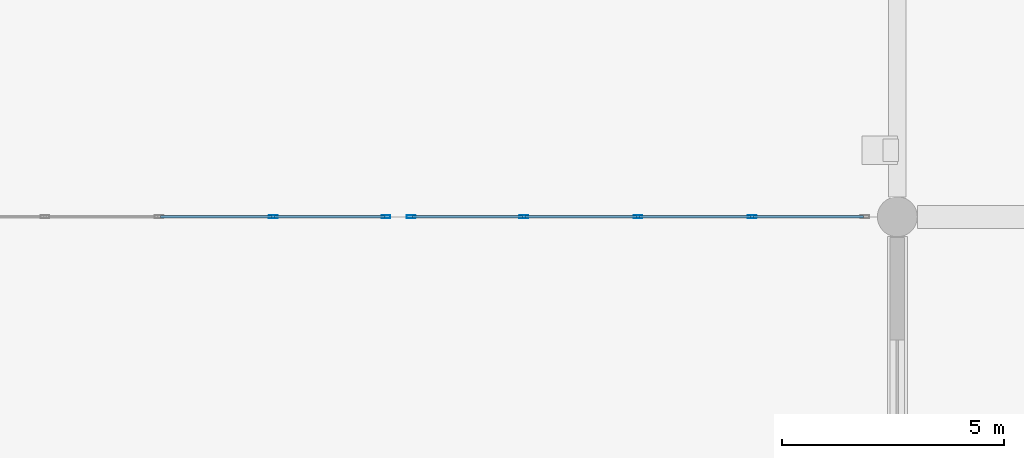
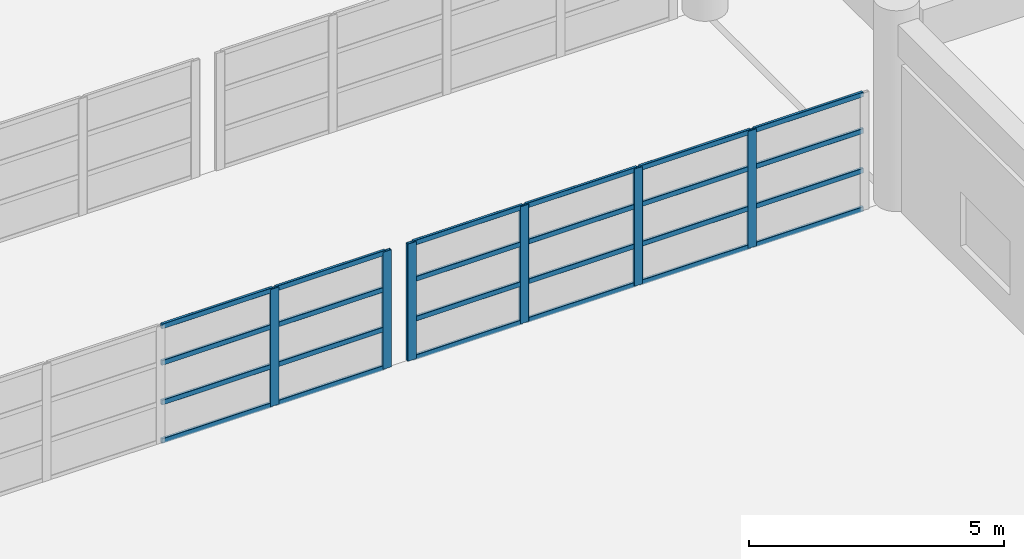
# One storey, part 26 of 122: 30 members, 2 elements without a shape of their own.
"""IFC4 building model written with IfcOpenShell, lengths in metres."""

import ifcopenshell
import ifcopenshell.guid

model = None  # the IFC model being written
_history = None  # IfcOwnerHistory: only IFC2X3 demands one
_inside = {}  # id of a spatial element -> (the spatial element, [elements in it])
_under = {}  # id of a project, library or spatial element -> (it, [spatial elements below it])
_declared = {}  # id of a project -> (the project, [libraries it declares])
_typed = {}  # id of a type object -> (the type object, [elements of that type])
_made_of = {}  # id of a material, layer set ... -> (it, [elements and type objects made of it])


def new_model(schema):
    """Start an empty IFC model of exactly this schema.

    Asked for "IFC4X3", IfcOpenShell would pick the latest addendum, in which some entities
    have other attributes; the version numbers below select the first issue.
    IFC2X3 requires an IfcOwnerHistory on every rooted entity: one is made here for all.
    """
    global model, _history
    if schema == "IFC4X3":
        model = ifcopenshell.file(schema_version=(4, 3, 0, 0))
    else:
        model = ifcopenshell.file(schema=schema)
    _inside.clear()
    _under.clear()
    _declared.clear()
    _typed.clear()
    _made_of.clear()
    _history = None
    if model.schema == "IFC2X3":
        org = make("IfcOrganization", Name="unknown")
        user = make(
            "IfcPersonAndOrganization",
            ThePerson=make("IfcPerson", FamilyName="unknown"),
            TheOrganization=org,
        )
        app = make(
            "IfcApplication",
            ApplicationDeveloper=org,
            Version="unknown",
            ApplicationFullName="unknown",
            ApplicationIdentifier="unknown",
        )
        _history = make(
            "IfcOwnerHistory",
            OwningUser=user,
            OwningApplication=app,
            ChangeAction="ADDED",
            CreationDate=0,
        )
    return model


def make(cls, **values):
    """One entity of the class cls with the attributes given. An attribute that is None is left unset."""
    return model.create_entity(
        cls, **{name: value for name, value in values.items() if value is not None}
    )


def rooted(cls, **values):
    """An entity with a GlobalId (a new one), such as an element, a storey or a relation."""
    return make(cls, GlobalId=ifcopenshell.guid.new(), OwnerHistory=_history, **values)


def si_unit(unit_type, name, prefix=None):
    """IfcSIUnit, for example si_unit("LENGTHUNIT", "METRE", prefix="MILLI")."""
    return make("IfcSIUnit", UnitType=unit_type, Prefix=prefix, Name=name)


def assignment(units):
    """IfcUnitAssignment: the units of a project."""
    return None if units is None else make("IfcUnitAssignment", Units=units)


def point(xyz):
    """IfcCartesianPoint."""
    return None if xyz is None else make("IfcCartesianPoint", Coordinates=xyz)


def direction(xyz):
    """IfcDirection."""
    return None if xyz is None else make("IfcDirection", DirectionRatios=xyz)


def frame(location, z_axis=None, x_axis=None):
    """IfcAxis2Placement3D, a coordinate frame: its origin and axes. An axis left out is left unset."""
    return make(
        "IfcAxis2Placement3D",
        Location=point(location),
        Axis=direction(z_axis),
        RefDirection=direction(x_axis),
    )


def frame_2d(location, x_axis=None):
    """IfcAxis2Placement2D, a coordinate frame in the plane: its origin and x axis."""
    return make(
        "IfcAxis2Placement2D", Location=point(location), RefDirection=direction(x_axis)
    )


def origin():
    """The frame at (0, 0, 0) with its axes left unset."""
    return frame((0.0, 0.0, 0.0))


def origin_2d():
    """The frame at (0, 0) in the plane with its x axis left unset."""
    return frame_2d((0.0, 0.0))


def place(relative_to, where):
    """IfcLocalPlacement: puts the frame where relative to a parent placement (None: the world)."""
    return make(
        "IfcLocalPlacement", PlacementRelTo=relative_to, RelativePlacement=where
    )


def context(
    kind, dimensions, precision=None, world=None, true_north=None, identifier=None
):
    """IfcGeometricRepresentationContext, for example the 3D "Model" context."""
    return make(
        "IfcGeometricRepresentationContext",
        ContextIdentifier=identifier,
        ContextType=kind,
        CoordinateSpaceDimension=dimensions,
        Precision=precision,
        WorldCoordinateSystem=world,
        TrueNorth=true_north,
    )


def subcontext(parent, identifier, kind, view, scale=None):
    """IfcGeometricRepresentationSubContext, for example "Body" below "Model"."""
    return make(
        "IfcGeometricRepresentationSubContext",
        ContextIdentifier=identifier,
        ContextType=kind,
        ParentContext=parent,
        TargetScale=scale,
        TargetView=view,
    )


def project(units=None, contexts=None):
    """IfcProject with its units and contexts."""
    return rooted(
        "IfcProject",
        Name="project",
        RepresentationContexts=contexts,
        UnitsInContext=assignment(units),
    )


def spatial(cls, under=None, at=None, **own):
    """A site, building, storey or space (cls), placed at a placement, below another one or the project."""
    s = rooted(cls, ObjectPlacement=at, **own)
    if under is not None:
        _under.setdefault(under.id(), (under, []))[1].append(s)
    return s


def profile(cls, at=None, kind="AREA", **sizes):
    """A parametric profile (cls). Its sizes go by their IFC names, for example OverallWidth=200.0."""
    return make(cls, ProfileType=kind, Position=at, **sizes)


def hollow_rectangle(**sizes):
    """IfcRectangleHollowProfileDef."""
    return profile("IfcRectangleHollowProfileDef", **sizes)


def extrude(swept, where, along, depth):
    """IfcExtrudedAreaSolid: the profile swept, set in the frame where, extruded along a direction by depth."""
    return make(
        "IfcExtrudedAreaSolid",
        SweptArea=swept,
        Position=where,
        ExtrudedDirection=direction(along),
        Depth=depth,
    )


def shape(context_of_items, identifier, shape_type, items):
    """IfcShapeRepresentation: the items that make up one representation, for example the "Body"."""
    return make(
        "IfcShapeRepresentation",
        ContextOfItems=context_of_items,
        RepresentationIdentifier=identifier,
        RepresentationType=shape_type,
        Items=items,
    )


def material(Name=None, Category=None):
    """IfcMaterial."""
    return make("IfcMaterial", Name=Name, Category=Category)


def material_profile(
    of_material, cross_section, Name=None, Category=None, Priority=None
):
    """IfcMaterialProfile: a cross section and its material."""
    return make(
        "IfcMaterialProfile",
        Name=Name,
        Material=of_material,
        Profile=cross_section,
        Priority=Priority,
        Category=Category,
    )


def profile_set(profiles, Name=None, composite=None):
    """IfcMaterialProfileSet."""
    return make(
        "IfcMaterialProfileSet",
        Name=Name,
        MaterialProfiles=profiles,
        CompositeProfile=composite,
    )


def made_of(thing, what):
    """Note that an element or type object is made of a material, layer set ...; save() writes the relation."""
    if what is not None:
        _made_of.setdefault(what.id(), (what, []))[1].append(thing)
    return thing


def type_object(cls, material=None, **own):
    """A type object (cls), such as IfcWallType, which elements share."""
    return made_of(rooted(cls, **own), material)


def element(
    cls,
    number,
    at=None,
    inside=None,
    cuts=None,
    type_object=None,
    material=None,
    context=None,
    identifier="Body",
    shape_type=None,
    held_by="IfcProductDefinitionShape",
    body=None,
    shapes=None,
    **own,
):
    """One element of the class cls, such as IfcWall. Its Tag is "e" and its number.

    at: its placement. inside: the storey or other place that contains it. cuts: it is an
    opening in that element (IfcRelVoidsElement). A single representation is given by context,
    identifier, shape_type and body (its items); several are given by shapes. held_by: the class
    of the entity that holds the representations. save() writes the other relations.
    """
    e = rooted(cls, Tag="e%d" % number, ObjectPlacement=at, **own)
    if body is not None:
        shapes = [shape(context, identifier, shape_type, body)]
    if shapes is not None:
        e.Representation = make(held_by, Representations=shapes)
    if inside is not None:
        _inside.setdefault(inside.id(), (inside, []))[1].append(e)
    if cuts is not None:
        rooted(
            "IfcRelVoidsElement", RelatingBuildingElement=cuts, RelatedOpeningElement=e
        )
    if type_object is not None:
        _typed.setdefault(type_object.id(), (type_object, []))[1].append(e)
    return made_of(e, material)


def aggregate(whole, parts):
    """IfcRelAggregates: a whole, such as a stair, and the parts it consists of."""
    return rooted("IfcRelAggregates", RelatingObject=whole, RelatedObjects=parts)


def save(model, path):
    """Write the relations noted so far, then the file.

    IfcRelAggregates (storeys below a building ...), IfcRelContainedInSpatialStructure (elements
    in a storey), IfcRelDefinesByType, IfcRelAssociatesMaterial and IfcRelDeclares: one each for
    every whole, place, type object, material and project.
    """
    for whole, parts in _under.values():
        aggregate(whole, parts)
    for where, things in _inside.values():
        rooted(
            "IfcRelContainedInSpatialStructure",
            RelatedElements=things,
            RelatingStructure=where,
        )
    for kind, things in _typed.values():
        rooted("IfcRelDefinesByType", RelatedObjects=things, RelatingType=kind)
    for what, things in _made_of.values():
        rooted("IfcRelAssociatesMaterial", RelatedObjects=things, RelatingMaterial=what)
    for by, libraries in _declared.values():
        rooted("IfcRelDeclares", RelatingContext=by, RelatedDefinitions=libraries)
    model.write(path)


model = new_model("IFC4")

# Units and contexts
model_context = context("Model", 3, precision=1e-05, world=origin(), true_north=direction((0.0, 1.0)))
body_context = subcontext(model_context, "Body", "Model", "MODEL_VIEW")
ifc_project = project(units=[si_unit("LENGTHUNIT", "METRE"), si_unit("AREAUNIT", "SQUARE_METRE"), si_unit("VOLUMEUNIT", "CUBIC_METRE"), si_unit("PLANEANGLEUNIT", "RADIAN"), si_unit("MASSUNIT", "GRAM", prefix="KILO")], contexts=[model_context])

# Site, building, storey
site_placement = place(None, origin())
site = spatial("IfcSite", under=ifc_project, at=site_placement, CompositionType="ELEMENT")
building_placement = place(site_placement, origin())
building = spatial("IfcBuilding", under=site, at=building_placement, Name="Qasida Concert Hall", CompositionType="ELEMENT")
storey_placement = place(building_placement, origin())
storey = spatial("IfcBuildingStorey", under=building, at=storey_placement, Name="L00", CompositionType="ELEMENT", Elevation=0.0)

# Curtain wall, members
ifc_material_1 = material(Name="Architectural bronze-anodized aluminium and low-E glass", Category="aluminium")
curtain_wall_type = type_object("IfcCurtainWallType", Name="CW-07", PredefinedType="NOTDEFINED", material=ifc_material_1)
curtain_wall_1_placement = place(storey_placement, origin())
curtain_wall_1 = element("IfcCurtainWall", 1, at=curtain_wall_1_placement, inside=storey, type_object=curtain_wall_type, Name="L00 link bridge glazing 0230", PredefinedType="NOTDEFINED")
ifc_material_2 = material(Name="Architectural bronze-anodized aluminium EN AW-6063", Category="aluminium")
ifc_material_profile_1 = material_profile(ifc_material_2, hollow_rectangle(XDim=0.06494140625, YDim=0.199951171875, WallThickness=0.0048828125, InnerFilletRadius=0.0048828125, OuterFilletRadius=0.010009765625, at=origin_2d()), Name="CWM 200x65x5")
ifc_profile_set_1 = profile_set([ifc_material_profile_1], Name="Architectural bronze-anodized aluminium EN AW-6063")
member_type_1 = type_object("IfcMemberType", Name="MB-CWM-2", PredefinedType="MULLION", material=ifc_profile_set_1)
member_1_placement = place(storey_placement, frame((113.425048828125, 15.0, 0.0), z_axis=(0.0, 0.0, 1.0), x_axis=(0.0, 1.0, 0.0)))
member_1 = element("IfcMember", 2, at=member_1_placement, type_object=member_type_1, Name="CW-07 mullion 4", PredefinedType="MULLION", context=body_context, shape_type="SweptSolid", body=[
    extrude(hollow_rectangle(XDim=0.06494140625, YDim=0.199951171875, WallThickness=0.0048828125, InnerFilletRadius=0.0048828125, OuterFilletRadius=0.010009765625, at=origin_2d()), origin(), (0.0, 0.0, 1.0), 2.800048828125),
])
member_2_placement = place(storey_placement, frame((115.967529296875, 15.0, 0.0), z_axis=(0.0, 0.0, 1.0), x_axis=(0.0, 1.0, 0.0)))
member_2 = element("IfcMember", 3, at=member_2_placement, type_object=member_type_1, Name="CW-07 mullion 5", PredefinedType="MULLION", context=body_context, shape_type="SweptSolid", body=[
    extrude(hollow_rectangle(XDim=0.06494140625, YDim=0.199951171875, WallThickness=0.0048828125, InnerFilletRadius=0.0048828125, OuterFilletRadius=0.010009765625, at=origin_2d()), origin(), (0.0, 0.0, 1.0), 2.800048828125),
])

curtain_wall_2_placement = place(storey_placement, origin())
curtain_wall_2 = element("IfcCurtainWall", 4, at=curtain_wall_2_placement, inside=storey, type_object=curtain_wall_type, Name="L00 link bridge glazing 0232", PredefinedType="NOTDEFINED")
member_3_placement = place(storey_placement, frame((116.532470703125, 15.0, 0.0), z_axis=(0.0, 0.0, 1.0), x_axis=(0.0, 1.0, 0.0)))
member_3 = element("IfcMember", 5, at=member_3_placement, type_object=member_type_1, Name="CW-07 mullion 1", PredefinedType="MULLION", context=body_context, shape_type="SweptSolid", body=[
    extrude(hollow_rectangle(XDim=0.06494140625, YDim=0.199951171875, WallThickness=0.0048828125, InnerFilletRadius=0.0048828125, OuterFilletRadius=0.010009765625, at=origin_2d()), origin(), (0.0, 0.0, 1.0), 2.800048828125),
])
member_4_placement = place(storey_placement, frame((119.074951171875, 15.0, 0.0), z_axis=(0.0, 0.0, 1.0), x_axis=(0.0, 1.0, 0.0)))
member_4 = element("IfcMember", 6, at=member_4_placement, type_object=member_type_1, Name="CW-07 mullion 2", PredefinedType="MULLION", context=body_context, shape_type="SweptSolid", body=[
    extrude(hollow_rectangle(XDim=0.06494140625, YDim=0.199951171875, WallThickness=0.0048828125, InnerFilletRadius=0.0048828125, OuterFilletRadius=0.010009765625, at=origin_2d()), origin(), (0.0, 0.0, 1.0), 2.800048828125),
])
member_5_placement = place(storey_placement, frame((121.64990234375, 15.0, 0.0), z_axis=(0.0, 0.0, 1.0), x_axis=(0.0, 1.0, 0.0)))
member_5 = element("IfcMember", 7, at=member_5_placement, type_object=member_type_1, Name="CW-07 mullion 3", PredefinedType="MULLION", context=body_context, shape_type="SweptSolid", body=[
    extrude(hollow_rectangle(XDim=0.06494140625, YDim=0.199951171875, WallThickness=0.0048828125, InnerFilletRadius=0.0048828125, OuterFilletRadius=0.010009765625, at=origin_2d()), origin(), (0.0, 0.0, 1.0), 2.800048828125),
])
member_6_placement = place(storey_placement, frame((124.22509765625, 15.0, 0.0), z_axis=(0.0, 0.0, 1.0), x_axis=(0.0, 1.0, 0.0)))
member_6 = element("IfcMember", 8, at=member_6_placement, type_object=member_type_1, Name="CW-07 mullion 4", PredefinedType="MULLION", context=body_context, shape_type="SweptSolid", body=[
    extrude(hollow_rectangle(XDim=0.06494140625, YDim=0.199951171875, WallThickness=0.0048828125, InnerFilletRadius=0.0048828125, OuterFilletRadius=0.010009765625, at=origin_2d()), origin(), (0.0, 0.0, 1.0), 2.800048828125),
])

# Member
ifc_material_profile_2 = material_profile(ifc_material_2, hollow_rectangle(XDim=0.06005859375, YDim=0.1201171875, WallThickness=0.00390625, InnerFilletRadius=0.00390625, OuterFilletRadius=0.008056640625, at=origin_2d()), Name="CWT 120x60x4")
ifc_profile_set_2 = profile_set([ifc_material_profile_2], Name="Architectural bronze-anodized aluminium EN AW-6063")
member_type_2 = type_object("IfcMemberType", Name="MB-CWT-2", PredefinedType="USERDEFINED", material=ifc_profile_set_2)
member_7_placement = place(storey_placement, frame((110.882568359375, 15.0, 0.030029296875), z_axis=(1.0, 0.0, 0.0), x_axis=(0.0, 1.0, 0.0)))
member_7 = element("IfcMember", 9, at=member_7_placement, type_object=member_type_2, Name="CW-07 transom 3.1", ObjectType="TRANSOM", PredefinedType="USERDEFINED", context=body_context, shape_type="SweptSolid", body=[
    extrude(hollow_rectangle(XDim=0.06005859375, YDim=0.1201171875, WallThickness=0.00390625, InnerFilletRadius=0.00390625, OuterFilletRadius=0.008056640625, at=origin_2d()), origin(), (0.0, 0.0, 1.0), 2.510009765625),
])

member_8_placement = place(storey_placement, frame((110.882568359375, 15.0, 0.949951171875), z_axis=(1.0, 0.0, 0.0), x_axis=(0.0, 1.0, 0.0)))
member_8 = element("IfcMember", 10, at=member_8_placement, type_object=member_type_2, Name="CW-07 transom 3.2", ObjectType="TRANSOM", PredefinedType="USERDEFINED", context=body_context, shape_type="SweptSolid", body=[
    extrude(hollow_rectangle(XDim=0.06005859375, YDim=0.1201171875, WallThickness=0.00390625, InnerFilletRadius=0.00390625, OuterFilletRadius=0.008056640625, at=origin_2d()), origin(), (0.0, 0.0, 1.0), 2.510009765625),
])

member_9_placement = place(storey_placement, frame((110.882568359375, 15.0, 1.89990234375), z_axis=(1.0, 0.0, 0.0), x_axis=(0.0, 1.0, 0.0)))
member_9 = element("IfcMember", 11, at=member_9_placement, type_object=member_type_2, Name="CW-07 transom 3.3", ObjectType="TRANSOM", PredefinedType="USERDEFINED", context=body_context, shape_type="SweptSolid", body=[
    extrude(hollow_rectangle(XDim=0.06005859375, YDim=0.1201171875, WallThickness=0.00390625, InnerFilletRadius=0.00390625, OuterFilletRadius=0.008056640625, at=origin_2d()), origin(), (0.0, 0.0, 1.0), 2.510009765625),
])

member_10_placement = place(storey_placement, frame((110.882568359375, 15.0, 2.77001953125), z_axis=(1.0, 0.0, 0.0), x_axis=(0.0, 1.0, 0.0)))
member_10 = element("IfcMember", 12, at=member_10_placement, type_object=member_type_2, Name="CW-07 transom 3.4", ObjectType="TRANSOM", PredefinedType="USERDEFINED", context=body_context, shape_type="SweptSolid", body=[
    extrude(hollow_rectangle(XDim=0.06005859375, YDim=0.1201171875, WallThickness=0.00390625, InnerFilletRadius=0.00390625, OuterFilletRadius=0.008056640625, at=origin_2d()), origin(), (0.0, 0.0, 1.0), 2.510009765625),
])

member_11_placement = place(storey_placement, frame((113.45751953125, 15.0, 0.030029296875), z_axis=(1.0, 0.0, 0.0), x_axis=(0.0, 1.0, 0.0)))
member_11 = element("IfcMember", 13, at=member_11_placement, type_object=member_type_2, Name="CW-07 transom 4.1", ObjectType="TRANSOM", PredefinedType="USERDEFINED", context=body_context, shape_type="SweptSolid", body=[
    extrude(hollow_rectangle(XDim=0.06005859375, YDim=0.1201171875, WallThickness=0.00390625, InnerFilletRadius=0.00390625, OuterFilletRadius=0.008056640625, at=origin_2d()), origin(), (0.0, 0.0, 1.0), 2.4775390625),
])

member_12_placement = place(storey_placement, frame((113.45751953125, 15.0, 0.949951171875), z_axis=(1.0, 0.0, 0.0), x_axis=(0.0, 1.0, 0.0)))
member_12 = element("IfcMember", 14, at=member_12_placement, type_object=member_type_2, Name="CW-07 transom 4.2", ObjectType="TRANSOM", PredefinedType="USERDEFINED", context=body_context, shape_type="SweptSolid", body=[
    extrude(hollow_rectangle(XDim=0.06005859375, YDim=0.1201171875, WallThickness=0.00390625, InnerFilletRadius=0.00390625, OuterFilletRadius=0.008056640625, at=origin_2d()), origin(), (0.0, 0.0, 1.0), 2.4775390625),
])

member_13_placement = place(storey_placement, frame((113.45751953125, 15.0, 1.89990234375), z_axis=(1.0, 0.0, 0.0), x_axis=(0.0, 1.0, 0.0)))
member_13 = element("IfcMember", 15, at=member_13_placement, type_object=member_type_2, Name="CW-07 transom 4.3", ObjectType="TRANSOM", PredefinedType="USERDEFINED", context=body_context, shape_type="SweptSolid", body=[
    extrude(hollow_rectangle(XDim=0.06005859375, YDim=0.1201171875, WallThickness=0.00390625, InnerFilletRadius=0.00390625, OuterFilletRadius=0.008056640625, at=origin_2d()), origin(), (0.0, 0.0, 1.0), 2.4775390625),
])

member_14_placement = place(storey_placement, frame((113.45751953125, 15.0, 2.77001953125), z_axis=(1.0, 0.0, 0.0), x_axis=(0.0, 1.0, 0.0)))
member_14 = element("IfcMember", 16, at=member_14_placement, type_object=member_type_2, Name="CW-07 transom 4.4", ObjectType="TRANSOM", PredefinedType="USERDEFINED", context=body_context, shape_type="SweptSolid", body=[
    extrude(hollow_rectangle(XDim=0.06005859375, YDim=0.1201171875, WallThickness=0.00390625, InnerFilletRadius=0.00390625, OuterFilletRadius=0.008056640625, at=origin_2d()), origin(), (0.0, 0.0, 1.0), 2.4775390625),
])

aggregate(curtain_wall_1, [member_1, member_2, member_7, member_8, member_9, member_10, member_11, member_12, member_13, member_14])

member_15_placement = place(storey_placement, frame((116.56494140625, 15.0, 0.030029296875), z_axis=(1.0, 0.0, 0.0), x_axis=(0.0, 1.0, 0.0)))
member_15 = element("IfcMember", 17, at=member_15_placement, type_object=member_type_2, Name="CW-07 transom 1.1", ObjectType="TRANSOM", PredefinedType="USERDEFINED", context=body_context, shape_type="SweptSolid", body=[
    extrude(hollow_rectangle(XDim=0.06005859375, YDim=0.1201171875, WallThickness=0.00390625, InnerFilletRadius=0.00390625, OuterFilletRadius=0.008056640625, at=origin_2d()), origin(), (0.0, 0.0, 1.0), 2.4775390625),
])

member_16_placement = place(storey_placement, frame((116.56494140625, 15.0, 0.949951171875), z_axis=(1.0, 0.0, 0.0), x_axis=(0.0, 1.0, 0.0)))
member_16 = element("IfcMember", 18, at=member_16_placement, type_object=member_type_2, Name="CW-07 transom 1.2", ObjectType="TRANSOM", PredefinedType="USERDEFINED", context=body_context, shape_type="SweptSolid", body=[
    extrude(hollow_rectangle(XDim=0.06005859375, YDim=0.1201171875, WallThickness=0.00390625, InnerFilletRadius=0.00390625, OuterFilletRadius=0.008056640625, at=origin_2d()), origin(), (0.0, 0.0, 1.0), 2.4775390625),
])

member_17_placement = place(storey_placement, frame((116.56494140625, 15.0, 1.89990234375), z_axis=(1.0, 0.0, 0.0), x_axis=(0.0, 1.0, 0.0)))
member_17 = element("IfcMember", 19, at=member_17_placement, type_object=member_type_2, Name="CW-07 transom 1.3", ObjectType="TRANSOM", PredefinedType="USERDEFINED", context=body_context, shape_type="SweptSolid", body=[
    extrude(hollow_rectangle(XDim=0.06005859375, YDim=0.1201171875, WallThickness=0.00390625, InnerFilletRadius=0.00390625, OuterFilletRadius=0.008056640625, at=origin_2d()), origin(), (0.0, 0.0, 1.0), 2.4775390625),
])

member_18_placement = place(storey_placement, frame((116.56494140625, 15.0, 2.77001953125), z_axis=(1.0, 0.0, 0.0), x_axis=(0.0, 1.0, 0.0)))
member_18 = element("IfcMember", 20, at=member_18_placement, type_object=member_type_2, Name="CW-07 transom 1.4", ObjectType="TRANSOM", PredefinedType="USERDEFINED", context=body_context, shape_type="SweptSolid", body=[
    extrude(hollow_rectangle(XDim=0.06005859375, YDim=0.1201171875, WallThickness=0.00390625, InnerFilletRadius=0.00390625, OuterFilletRadius=0.008056640625, at=origin_2d()), origin(), (0.0, 0.0, 1.0), 2.4775390625),
])

member_19_placement = place(storey_placement, frame((119.107421875, 15.0, 0.030029296875), z_axis=(1.0, 0.0, 0.0), x_axis=(0.0, 1.0, 0.0)))
member_19 = element("IfcMember", 21, at=member_19_placement, type_object=member_type_2, Name="CW-07 transom 2.1", ObjectType="TRANSOM", PredefinedType="USERDEFINED", context=body_context, shape_type="SweptSolid", body=[
    extrude(hollow_rectangle(XDim=0.06005859375, YDim=0.1201171875, WallThickness=0.00390625, InnerFilletRadius=0.00390625, OuterFilletRadius=0.008056640625, at=origin_2d()), origin(), (0.0, 0.0, 1.0), 2.510009765625),
])

member_20_placement = place(storey_placement, frame((119.107421875, 15.0, 0.949951171875), z_axis=(1.0, 0.0, 0.0), x_axis=(0.0, 1.0, 0.0)))
member_20 = element("IfcMember", 22, at=member_20_placement, type_object=member_type_2, Name="CW-07 transom 2.2", ObjectType="TRANSOM", PredefinedType="USERDEFINED", context=body_context, shape_type="SweptSolid", body=[
    extrude(hollow_rectangle(XDim=0.06005859375, YDim=0.1201171875, WallThickness=0.00390625, InnerFilletRadius=0.00390625, OuterFilletRadius=0.008056640625, at=origin_2d()), origin(), (0.0, 0.0, 1.0), 2.510009765625),
])

member_21_placement = place(storey_placement, frame((119.107421875, 15.0, 1.89990234375), z_axis=(1.0, 0.0, 0.0), x_axis=(0.0, 1.0, 0.0)))
member_21 = element("IfcMember", 23, at=member_21_placement, type_object=member_type_2, Name="CW-07 transom 2.3", ObjectType="TRANSOM", PredefinedType="USERDEFINED", context=body_context, shape_type="SweptSolid", body=[
    extrude(hollow_rectangle(XDim=0.06005859375, YDim=0.1201171875, WallThickness=0.00390625, InnerFilletRadius=0.00390625, OuterFilletRadius=0.008056640625, at=origin_2d()), origin(), (0.0, 0.0, 1.0), 2.510009765625),
])

member_22_placement = place(storey_placement, frame((119.107421875, 15.0, 2.77001953125), z_axis=(1.0, 0.0, 0.0), x_axis=(0.0, 1.0, 0.0)))
member_22 = element("IfcMember", 24, at=member_22_placement, type_object=member_type_2, Name="CW-07 transom 2.4", ObjectType="TRANSOM", PredefinedType="USERDEFINED", context=body_context, shape_type="SweptSolid", body=[
    extrude(hollow_rectangle(XDim=0.06005859375, YDim=0.1201171875, WallThickness=0.00390625, InnerFilletRadius=0.00390625, OuterFilletRadius=0.008056640625, at=origin_2d()), origin(), (0.0, 0.0, 1.0), 2.510009765625),
])

member_23_placement = place(storey_placement, frame((121.6826171875, 15.0, 0.030029296875), z_axis=(1.0, 0.0, 0.0), x_axis=(0.0, 1.0, 0.0)))
member_23 = element("IfcMember", 25, at=member_23_placement, type_object=member_type_2, Name="CW-07 transom 3.1", ObjectType="TRANSOM", PredefinedType="USERDEFINED", context=body_context, shape_type="SweptSolid", body=[
    extrude(hollow_rectangle(XDim=0.06005859375, YDim=0.1201171875, WallThickness=0.00390625, InnerFilletRadius=0.00390625, OuterFilletRadius=0.008056640625, at=origin_2d()), origin(), (0.0, 0.0, 1.0), 2.509765625),
])

member_24_placement = place(storey_placement, frame((121.6826171875, 15.0, 0.949951171875), z_axis=(1.0, 0.0, 0.0), x_axis=(0.0, 1.0, 0.0)))
member_24 = element("IfcMember", 26, at=member_24_placement, type_object=member_type_2, Name="CW-07 transom 3.2", ObjectType="TRANSOM", PredefinedType="USERDEFINED", context=body_context, shape_type="SweptSolid", body=[
    extrude(hollow_rectangle(XDim=0.06005859375, YDim=0.1201171875, WallThickness=0.00390625, InnerFilletRadius=0.00390625, OuterFilletRadius=0.008056640625, at=origin_2d()), origin(), (0.0, 0.0, 1.0), 2.509765625),
])

member_25_placement = place(storey_placement, frame((121.6826171875, 15.0, 1.89990234375), z_axis=(1.0, 0.0, 0.0), x_axis=(0.0, 1.0, 0.0)))
member_25 = element("IfcMember", 27, at=member_25_placement, type_object=member_type_2, Name="CW-07 transom 3.3", ObjectType="TRANSOM", PredefinedType="USERDEFINED", context=body_context, shape_type="SweptSolid", body=[
    extrude(hollow_rectangle(XDim=0.06005859375, YDim=0.1201171875, WallThickness=0.00390625, InnerFilletRadius=0.00390625, OuterFilletRadius=0.008056640625, at=origin_2d()), origin(), (0.0, 0.0, 1.0), 2.509765625),
])

member_26_placement = place(storey_placement, frame((121.6826171875, 15.0, 2.77001953125), z_axis=(1.0, 0.0, 0.0), x_axis=(0.0, 1.0, 0.0)))
member_26 = element("IfcMember", 28, at=member_26_placement, type_object=member_type_2, Name="CW-07 transom 3.4", ObjectType="TRANSOM", PredefinedType="USERDEFINED", context=body_context, shape_type="SweptSolid", body=[
    extrude(hollow_rectangle(XDim=0.06005859375, YDim=0.1201171875, WallThickness=0.00390625, InnerFilletRadius=0.00390625, OuterFilletRadius=0.008056640625, at=origin_2d()), origin(), (0.0, 0.0, 1.0), 2.509765625),
])

member_27_placement = place(storey_placement, frame((124.257568359375, 15.0, 0.030029296875), z_axis=(1.0, 0.0, 0.0), x_axis=(0.0, 1.0, 0.0)))
member_27 = element("IfcMember", 29, at=member_27_placement, type_object=member_type_2, Name="CW-07 transom 4.1", ObjectType="TRANSOM", PredefinedType="USERDEFINED", context=body_context, shape_type="SweptSolid", body=[
    extrude(hollow_rectangle(XDim=0.06005859375, YDim=0.1201171875, WallThickness=0.00390625, InnerFilletRadius=0.00390625, OuterFilletRadius=0.008056640625, at=origin_2d()), origin(), (0.0, 0.0, 1.0), 2.4775390625),
])

member_28_placement = place(storey_placement, frame((124.257568359375, 15.0, 0.949951171875), z_axis=(1.0, 0.0, 0.0), x_axis=(0.0, 1.0, 0.0)))
member_28 = element("IfcMember", 30, at=member_28_placement, type_object=member_type_2, Name="CW-07 transom 4.2", ObjectType="TRANSOM", PredefinedType="USERDEFINED", context=body_context, shape_type="SweptSolid", body=[
    extrude(hollow_rectangle(XDim=0.06005859375, YDim=0.1201171875, WallThickness=0.00390625, InnerFilletRadius=0.00390625, OuterFilletRadius=0.008056640625, at=origin_2d()), origin(), (0.0, 0.0, 1.0), 2.4775390625),
])

member_29_placement = place(storey_placement, frame((124.257568359375, 15.0, 1.89990234375), z_axis=(1.0, 0.0, 0.0), x_axis=(0.0, 1.0, 0.0)))
member_29 = element("IfcMember", 31, at=member_29_placement, type_object=member_type_2, Name="CW-07 transom 4.3", ObjectType="TRANSOM", PredefinedType="USERDEFINED", context=body_context, shape_type="SweptSolid", body=[
    extrude(hollow_rectangle(XDim=0.06005859375, YDim=0.1201171875, WallThickness=0.00390625, InnerFilletRadius=0.00390625, OuterFilletRadius=0.008056640625, at=origin_2d()), origin(), (0.0, 0.0, 1.0), 2.4775390625),
])

member_30_placement = place(storey_placement, frame((124.257568359375, 15.0, 2.77001953125), z_axis=(1.0, 0.0, 0.0), x_axis=(0.0, 1.0, 0.0)))
member_30 = element("IfcMember", 32, at=member_30_placement, type_object=member_type_2, Name="CW-07 transom 4.4", ObjectType="TRANSOM", PredefinedType="USERDEFINED", context=body_context, shape_type="SweptSolid", body=[
    extrude(hollow_rectangle(XDim=0.06005859375, YDim=0.1201171875, WallThickness=0.00390625, InnerFilletRadius=0.00390625, OuterFilletRadius=0.008056640625, at=origin_2d()), origin(), (0.0, 0.0, 1.0), 2.4775390625),
])

aggregate(curtain_wall_2, [member_3, member_4, member_5, member_6, member_15, member_16, member_17, member_18, member_19, member_20, member_21, member_22, member_23, member_24, member_25, member_26, member_27, member_28, member_29, member_30])

save(model, "model.ifc")
